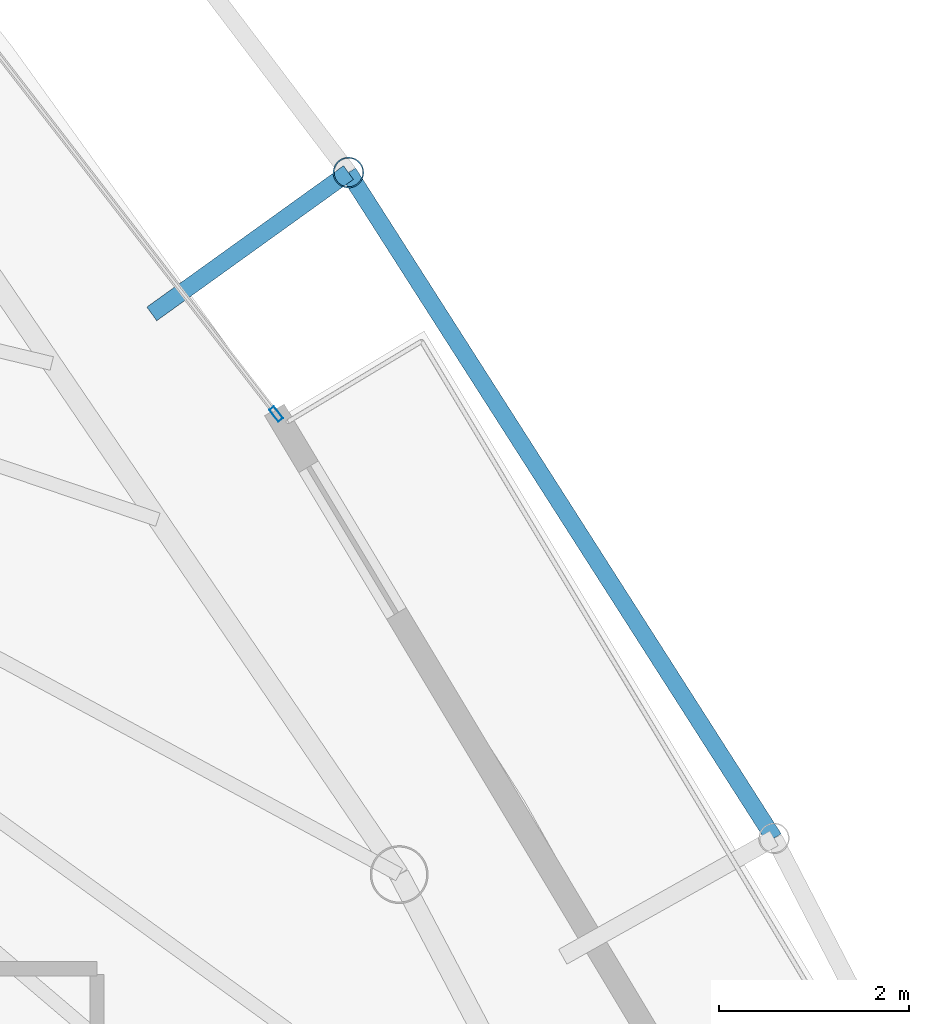
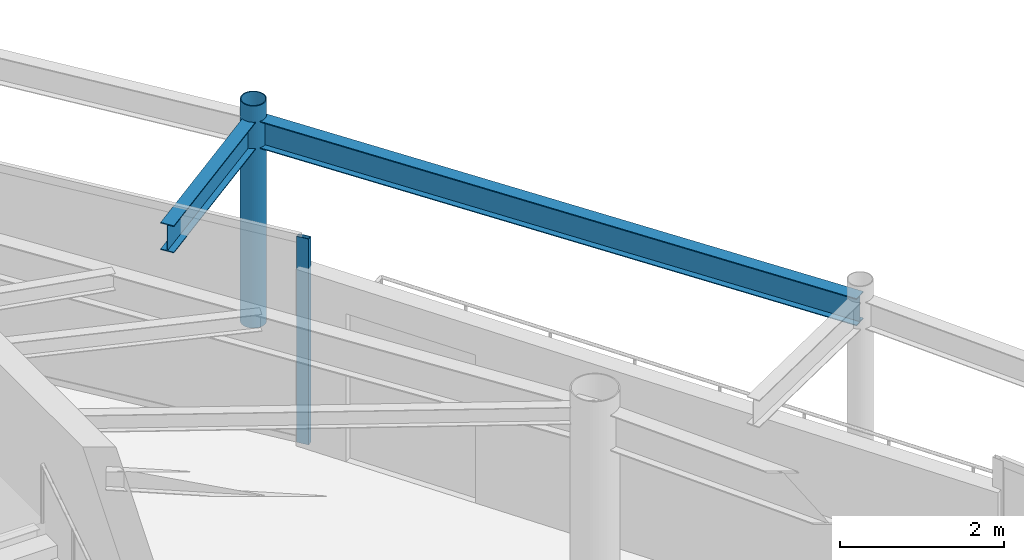
# One storey, part 19 of 29: 2 beams, 2 members, 1 element without a shape of its own.
"""IFC4 building model written with IfcOpenShell, lengths in metres."""

from ifc_helpers import new_model, si_unit, direction, frame, origin, origin_2d, place, context, subcontext, project, spatial, hollow_rectangle, hollow_circle, i_section, extrude, material, layer, layer_set, material_profile, profile_set, type_object, element, aggregate, save


model = new_model("IFC4")

# Units and contexts
model_context = context("Model", 3, precision=1e-05, world=origin(), true_north=direction((0.0, 1.0)))
body_context = subcontext(model_context, "Body", "Model", "MODEL_VIEW")
ifc_project = project(units=[si_unit("LENGTHUNIT", "METRE"), si_unit("AREAUNIT", "SQUARE_METRE"), si_unit("VOLUMEUNIT", "CUBIC_METRE"), si_unit("PLANEANGLEUNIT", "RADIAN"), si_unit("MASSUNIT", "GRAM", prefix="KILO")], contexts=[model_context])

# Site, building, storey
site_placement = place(None, origin())
site = spatial("IfcSite", under=ifc_project, at=site_placement, CompositionType="ELEMENT")
building_placement = place(site_placement, origin())
building = spatial("IfcBuilding", under=site, at=building_placement, Name="Orvanel Arch Residences", CompositionType="ELEMENT")
storey_placement = place(building_placement, frame((0.0, 0.0, 250.25)))
storey = spatial("IfcBuildingStorey", under=building, at=storey_placement, Name="L71", CompositionType="ELEMENT", Elevation=250.25)

# Curtain wall, member
ifc_material_1 = material(Name="Bronze-anodised aluminium AA6063-T6", Category="aluminium")
ifc_layer = layer(ifc_material_1, 0.175048828125)
ifc_layer_set = layer_set([ifc_layer], Name="Bronze-anodised aluminium AA6063-T6")
curtain_wall_type = type_object("IfcCurtainWallType", Name="CW4-HI-SYS", PredefinedType="NOTDEFINED", material=ifc_layer_set)
curtain_wall_placement = place(storey_placement, origin())
curtain_wall = element("IfcCurtainWall", 1, at=curtain_wall_placement, inside=storey, type_object=curtain_wall_type, Name="L71 CW4-HI-SYS Unitised Curtain Wall", PredefinedType="NOTDEFINED")
ifc_material_profile_1 = material_profile(ifc_material_1, hollow_rectangle(XDim=0.06494140625, YDim=0.159912109375, WallThickness=0.00390625, at=origin_2d()), Name="ALU160x65x4")
ifc_profile_set_1 = profile_set([ifc_material_profile_1], Name="Bronze-anodised aluminium AA6063-T6")
member_type_1 = type_object("IfcMemberType", Name="MUL-160x65", PredefinedType="MULLION", material=ifc_profile_set_1)
member_1_placement = place(storey_placement, frame((44.13623046875, 32.48974609375, 0.0), z_axis=(0.0, 0.0, 1.0), x_axis=(-0.791336812136, -0.611380446006, 0.0)))
member_1 = element("IfcMember", 2, at=member_1_placement, type_object=member_type_1, Name="CW-S4 mullion 1", PredefinedType="MULLION", context=body_context, shape_type="SweptSolid", body=[
    extrude(hollow_rectangle(XDim=0.06494140625, YDim=0.159912109375, WallThickness=0.00390625, at=origin_2d()), origin(), (0.0, 0.0, 1.0), 3.06005859375),
])
aggregate(curtain_wall, [member_1])

# Beams
ifc_material_2 = material(Name="Structural steel AS/NZS 3679.1 Grade 300 (300 MPa)", Category="steel")
ifc_material_profile_2 = material_profile(ifc_material_2, i_section(OverallWidth=0.177978515625, OverallDepth=0.406005859375, WebThickness=0.0078125, FlangeThickness=0.0126953125, at=origin_2d()), Name="410UB59.7")
ifc_profile_set_2 = profile_set([ifc_material_profile_2], Name="Structural steel AS/NZS 3679.1 Grade 300 (300 MPa)")
beam_type = type_object("IfcBeamType", Name="OB-410UB-EXT", PredefinedType="SPANDREL", material=ifc_profile_set_2)
beam_1_placement = place(storey_placement, frame((49.376953125, 28.02294921875, 2.85693359375), z_axis=(-0.538612173863, 0.84255381203, 0.0), x_axis=(-0.84255381203, -0.538612173863, 0.0)))
element("IfcBeam", 3, at=beam_1_placement, inside=storey, type_object=beam_type, Name="L71 Outer Perimeter Floor Ring Beam 10", PredefinedType="SPANDREL", context=body_context, shape_type="SweptSolid", body=[
    extrude(i_section(OverallWidth=0.177978515625, OverallDepth=0.406005859375, WebThickness=0.0078125, FlangeThickness=0.0126953125, at=origin_2d()), origin(), (0.0, 0.0, 1.0), 8.317626953125),
])
beam_2_placement = place(storey_placement, frame((42.826904296875, 33.54296875, 2.85693359375), z_axis=(0.811982749892, 0.583681431842, 0.0), x_axis=(-0.583681431842, 0.811982749892, 0.0)))
element("IfcBeam", 4, at=beam_2_placement, inside=storey, type_object=beam_type, Name="L71 Outer Frame Radial Tie Beam 11", PredefinedType="SPANDREL", context=body_context, shape_type="SweptSolid", body=[
    extrude(i_section(OverallWidth=0.177978515625, OverallDepth=0.406005859375, WebThickness=0.0078125, FlangeThickness=0.0126953125, at=origin_2d()), origin(), (0.0, 0.0, 1.0), 2.54931640625),
])

# Member
ifc_material_3 = material(Name="Structural steel AS/NZS 1163 C350L0 (Grade 350)", Category="steel")
ifc_material_profile_3 = material_profile(ifc_material_3, hollow_circle(Radius=0.162109375, WallThickness=0.0126953125, at=origin_2d()), Name="CHS324x12.7")
ifc_profile_set_3 = profile_set([ifc_material_profile_3], Name="Structural steel AS/NZS 1163 C350L0 (Grade 350)")
member_type_2 = type_object("IfcMemberType", Name="ST-324CHS-EXT", PredefinedType="STRUT", material=ifc_profile_set_3)
member_2_placement = place(storey_placement, frame((44.89697265625, 35.031005859375, 0.0), z_axis=(0.0, 0.0, 1.0), x_axis=(1.0, 0.0, 0.0)))
element("IfcMember", 5, at=member_2_placement, inside=storey, type_object=member_type_2, Name="L71 Outer Perimeter Frame Post 11", PredefinedType="STRUT", context=body_context, shape_type="SweptSolid", body=[
    extrude(hollow_circle(Radius=0.162109375, WallThickness=0.0126953125, at=origin_2d()), origin(), (0.0, 0.0, 1.0), 3.300048828125),
])

save(model, "model.ifc")
